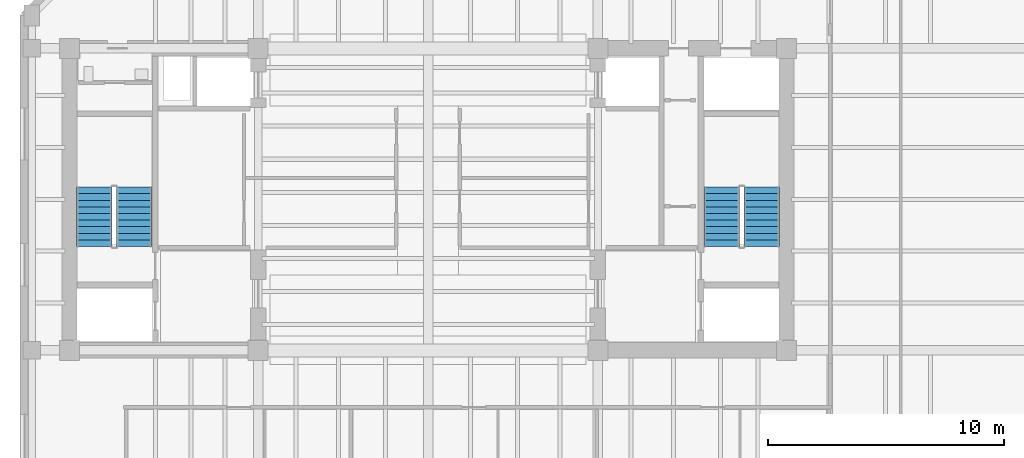
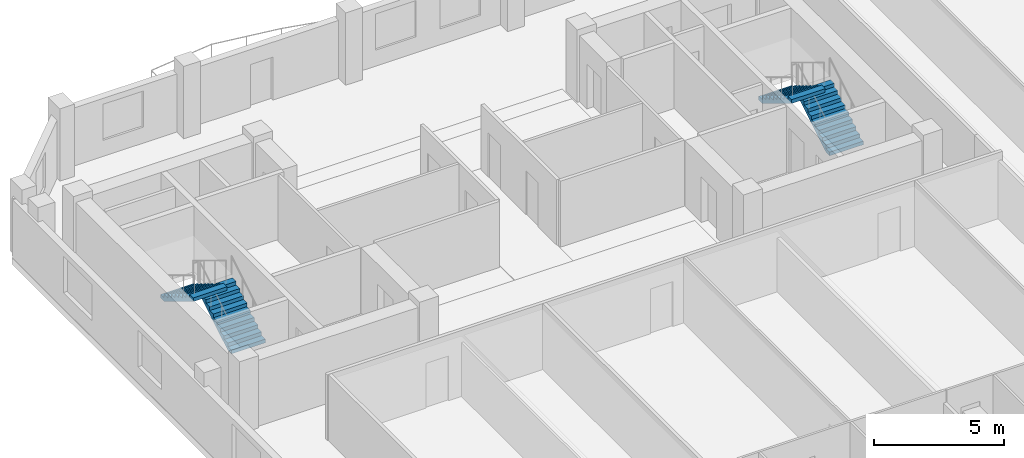
# One storey, part 6 of 10: 4 stair flights, 2 elements without a shape of their own.
"""IFC4 building model written with IfcOpenShell, lengths in metres."""

from ifc_helpers import new_model, si_unit, direction, frame, origin, place, context, subcontext, project, spatial, polyline, outline, extrude, material, type_object, element, aggregate, save


model = new_model("IFC4")

# Units and contexts
model_context = context("Model", 3, precision=1e-05, world=origin(), true_north=direction((0.0, 1.0)))
body_context = subcontext(model_context, "Body", "Model", "MODEL_VIEW")
ifc_project = project(units=[si_unit("LENGTHUNIT", "METRE"), si_unit("AREAUNIT", "SQUARE_METRE"), si_unit("VOLUMEUNIT", "CUBIC_METRE"), si_unit("PLANEANGLEUNIT", "RADIAN"), si_unit("MASSUNIT", "GRAM", prefix="KILO")], contexts=[model_context])

# Site, building, storey
site_placement = place(None, origin())
site = spatial("IfcSite", under=ifc_project, at=site_placement, CompositionType="ELEMENT")
building_placement = place(site_placement, origin())
building = spatial("IfcBuilding", under=site, at=building_placement, Name="Kranthara Brick Stack", CompositionType="ELEMENT")
storey_placement = place(building_placement, frame((0.0, 0.0, 234.699951171875)))
storey = spatial("IfcBuildingStorey", under=building, at=storey_placement, Name="L61", CompositionType="ELEMENT", Elevation=234.699951171875)

# Stair, stair flights
ifc_material_1 = material(Name="Concrete C45/55", Category="concrete")
stair_type = type_object("IfcStairType", Name="ST-CORE-20R", PredefinedType="HALF_TURN_STAIR", material=ifc_material_1)
stair_1_placement = place(storey_placement, origin())
stair_1 = element("IfcStair", 1, at=stair_1_placement, inside=storey, type_object=stair_type, Name="L61 West Core Protected Exit Stair ST01", PredefinedType="HALF_TURN_STAIR")
ifc_material_2 = material(Name="Concrete C45/55", Category="concrete")
stair_flight_type = type_object("IfcStairFlightType", Name="SFL-RC-20R", PredefinedType="STRAIGHT", material=ifc_material_2)
stair_flight_1_placement = place(storey_placement, frame((15.550048828125, 25.199951171875, 0.0), z_axis=(0.0, 0.0, 1.0), x_axis=(0.0, 1.0, 0.0)))
stair_flight_1 = element("IfcStairFlight", 2, at=stair_flight_1_placement, type_object=stair_flight_type, Name="ST01 flight 1", NumberOfRisers=10, NumberOfTreads=9, PredefinedType="STRAIGHT", RiserHeight=0.17, TreadLength=0.28, context=body_context, shape_type="SweptSolid", body=[
    extrude(outline(polyline([(0.0, 0.0), (0.0, 0.169921875), (0.280029296875, 0.169921875), (0.280029296875, 0.340087890625), (0.56005859375, 0.340087890625), (0.56005859375, 0.510009765625), (0.840087890625, 0.510009765625), (0.840087890625, 0.679931640625), (1.1201171875, 0.679931640625), (1.1201171875, 0.85009765625), (1.39990234375, 0.85009765625), (1.39990234375, 1.02001953125), (1.679931640625, 1.02001953125), (1.679931640625, 1.18994140625), (1.9599609375, 1.18994140625), (1.9599609375, 1.360107421875), (2.239990234375, 1.360107421875), (2.239990234375, 1.530029296875), (2.52001953125, 1.530029296875), (2.52001953125, 1.699951171875), (2.52001953125, 1.354736328125), (0.288818359375, 0.0), (0.0, 0.0)])), frame((0.0, 0.75, 0.0), z_axis=(0.0, -1.0, 0.0), x_axis=(1.0, 0.0, 0.0)), (0.0, 0.0, 1.0), 1.5),
])
stair_flight_2_placement = place(storey_placement, frame((13.85009765625, 27.719970703125, 1.699951171875), z_axis=(0.0, 0.0, 1.0), x_axis=(0.0, -1.0, 0.0)))
stair_flight_2 = element("IfcStairFlight", 3, at=stair_flight_2_placement, type_object=stair_flight_type, Name="ST01 flight 2", NumberOfRisers=10, NumberOfTreads=9, PredefinedType="STRAIGHT", RiserHeight=0.17, TreadLength=0.28, context=body_context, shape_type="SweptSolid", body=[
    extrude(outline(polyline([(0.0, 0.0), (0.0, 0.169921875), (0.280029296875, 0.169921875), (0.280029296875, 0.340087890625), (0.56005859375, 0.340087890625), (0.56005859375, 0.510009765625), (0.840087890625, 0.510009765625), (0.840087890625, 0.679931640625), (1.1201171875, 0.679931640625), (1.1201171875, 0.85009765625), (1.39990234375, 0.85009765625), (1.39990234375, 1.02001953125), (1.679931640625, 1.02001953125), (1.679931640625, 1.18994140625), (1.9599609375, 1.18994140625), (1.9599609375, 1.360107421875), (2.239990234375, 1.360107421875), (2.239990234375, 1.530029296875), (2.52001953125, 1.530029296875), (2.52001953125, 1.699951171875), (2.52001953125, 1.354736328125), (0.288818359375, 0.0), (0.0, 0.0)])), frame((0.0, 0.75, 0.0), z_axis=(0.0, -1.0, 0.0), x_axis=(1.0, 0.0, 0.0)), (0.0, 0.0, 1.0), 1.5),
])
aggregate(stair_1, [stair_flight_1, stair_flight_2])

stair_2_placement = place(storey_placement, origin())
stair_2 = element("IfcStair", 4, at=stair_2_placement, inside=storey, type_object=stair_type, Name="L61 East Core Protected Exit Stair ST02", PredefinedType="HALF_TURN_STAIR")
stair_flight_3_placement = place(storey_placement, frame((42.14990234375, 25.199951171875, 0.0), z_axis=(0.0, 0.0, 1.0), x_axis=(0.0, 1.0, 0.0)))
stair_flight_3 = element("IfcStairFlight", 5, at=stair_flight_3_placement, type_object=stair_flight_type, Name="ST02 flight 1", NumberOfRisers=10, NumberOfTreads=9, PredefinedType="STRAIGHT", RiserHeight=0.17, TreadLength=0.28, context=body_context, shape_type="SweptSolid", body=[
    extrude(outline(polyline([(0.0, 0.0), (0.0, 0.169921875), (0.280029296875, 0.169921875), (0.280029296875, 0.340087890625), (0.56005859375, 0.340087890625), (0.56005859375, 0.510009765625), (0.840087890625, 0.510009765625), (0.840087890625, 0.679931640625), (1.1201171875, 0.679931640625), (1.1201171875, 0.85009765625), (1.39990234375, 0.85009765625), (1.39990234375, 1.02001953125), (1.679931640625, 1.02001953125), (1.679931640625, 1.18994140625), (1.9599609375, 1.18994140625), (1.9599609375, 1.360107421875), (2.239990234375, 1.360107421875), (2.239990234375, 1.530029296875), (2.52001953125, 1.530029296875), (2.52001953125, 1.699951171875), (2.52001953125, 1.354736328125), (0.288818359375, 0.0), (0.0, 0.0)])), frame((0.0, 0.75, 0.0), z_axis=(0.0, -1.0, 0.0), x_axis=(1.0, 0.0, 0.0)), (0.0, 0.0, 1.0), 1.5),
])
stair_flight_4_placement = place(storey_placement, frame((40.449951171875, 27.719970703125, 1.699951171875), z_axis=(0.0, 0.0, 1.0), x_axis=(0.0, -1.0, 0.0)))
stair_flight_4 = element("IfcStairFlight", 6, at=stair_flight_4_placement, type_object=stair_flight_type, Name="ST02 flight 2", NumberOfRisers=10, NumberOfTreads=9, PredefinedType="STRAIGHT", RiserHeight=0.17, TreadLength=0.28, context=body_context, shape_type="SweptSolid", body=[
    extrude(outline(polyline([(0.0, 0.0), (0.0, 0.169921875), (0.280029296875, 0.169921875), (0.280029296875, 0.340087890625), (0.56005859375, 0.340087890625), (0.56005859375, 0.510009765625), (0.840087890625, 0.510009765625), (0.840087890625, 0.679931640625), (1.1201171875, 0.679931640625), (1.1201171875, 0.85009765625), (1.39990234375, 0.85009765625), (1.39990234375, 1.02001953125), (1.679931640625, 1.02001953125), (1.679931640625, 1.18994140625), (1.9599609375, 1.18994140625), (1.9599609375, 1.360107421875), (2.239990234375, 1.360107421875), (2.239990234375, 1.530029296875), (2.52001953125, 1.530029296875), (2.52001953125, 1.699951171875), (2.52001953125, 1.354736328125), (0.288818359375, 0.0), (0.0, 0.0)])), frame((0.0, 0.75, 0.0), z_axis=(0.0, -1.0, 0.0), x_axis=(1.0, 0.0, 0.0)), (0.0, 0.0, 1.0), 1.5),
])
aggregate(stair_2, [stair_flight_3, stair_flight_4])

save(model, "model.ifc")
